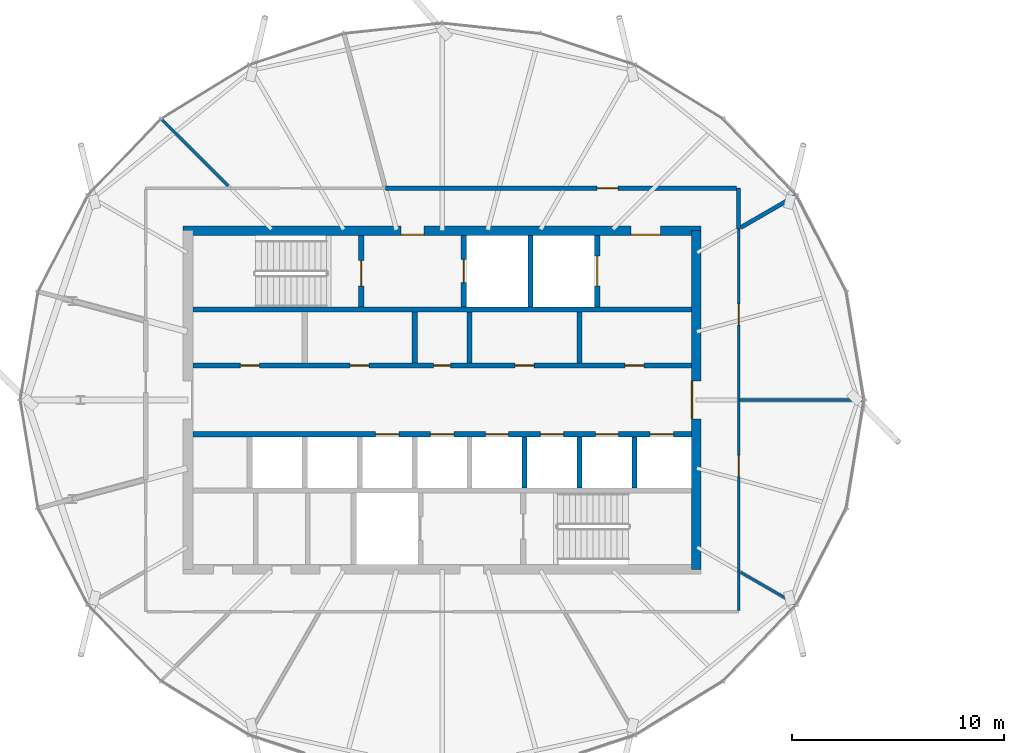
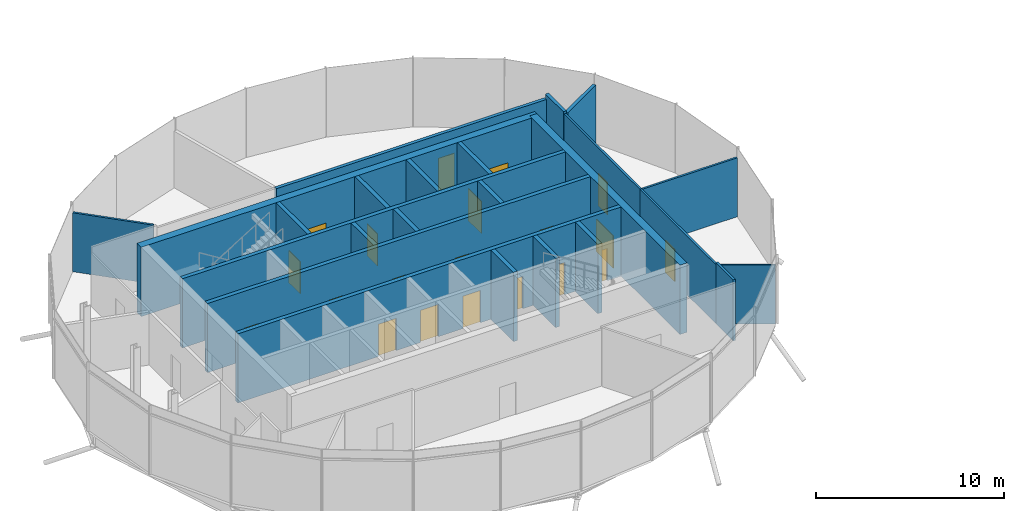
# One storey, part 17 of 31: 24 walls, 20 doors, 20 openings.
"""IFC4 building model written with IfcOpenShell, lengths in metres."""

from ifc_helpers import new_model, si_unit, direction, frame, frame_2d, origin, place, context, subcontext, project, spatial, rectangle, extrude, material, layer, layer_set, type_object, element, fill, save


model = new_model("IFC4")

# Units and contexts
model_context = context("Model", 3, precision=1e-05, world=origin(), true_north=direction((0.0, 1.0)))
body_context = subcontext(model_context, "Body", "Model", "MODEL_VIEW")
ifc_project = project(units=[si_unit("LENGTHUNIT", "METRE"), si_unit("AREAUNIT", "SQUARE_METRE"), si_unit("VOLUMEUNIT", "CUBIC_METRE"), si_unit("PLANEANGLEUNIT", "RADIAN"), si_unit("MASSUNIT", "GRAM", prefix="KILO")], contexts=[model_context])

# Site, building, storey
site_placement = place(None, origin())
site = spatial("IfcSite", under=ifc_project, at=site_placement, CompositionType="ELEMENT")
building_placement = place(site_placement, origin())
building = spatial("IfcBuilding", under=site, at=building_placement, Name="Rimbun Link Towers", CompositionType="ELEMENT")
storey_placement = place(building_placement, frame((0.0, 0.0, 263.10009765625)))
storey = spatial("IfcBuildingStorey", under=building, at=storey_placement, Name="L64", CompositionType="ELEMENT", Elevation=263.10009765625)

# Wall, openings, doors
ifc_material_1 = material(Name="Concrete C60/75", Category="concrete")
ifc_layer_1 = layer(ifc_material_1, 0.449951171875)
ifc_layer_set_1 = layer_set([ifc_layer_1], Name="Core shear wall 450")
wall_type_1 = type_object("IfcWallType", Name="Core shear wall 450", PredefinedType="SHEAR", material=ifc_layer_set_1)
wall_1_placement = place(storey_placement, frame((-43.97509765625, 8.0, 0.0), z_axis=(0.0, 0.0, 1.0), x_axis=(1.0, 0.0, 0.0)))
wall_1 = element("IfcWall", 1, at=wall_1_placement, inside=storey, type_object=wall_type_1, Name="L64 T1 core wall N", PredefinedType="SHEAR", context=body_context, shape_type="SweptSolid", body=[
    extrude(rectangle(XDim=24.4501953125, YDim=0.449951171875, at=frame_2d((12.22509765625, 0.0))), origin(), (0.0, 0.0, 1.0), 4.5),
])
opening_1_placement = place(wall_1_placement, frame((10.27490234375, 0.0, 0.0)))
opening_1 = element("IfcOpeningElement", 2, at=opening_1_placement, cuts=wall_1, Name="Opening C1DCF01N", PredefinedType="OPENING", context=body_context, shape_type="SweptSolid", body=[
    extrude(rectangle(XDim=1.10009765625, YDim=2.10009765625, at=frame_2d((0.550048828125, 1.050048828125))), frame((0.0, 0.23486328125, 0.0), z_axis=(0.0, -1.0, 0.0), x_axis=(1.0, 0.0, 0.0)), (0.0, 0.0, 1.0), 0.469970703125),
])
opening_2_placement = place(wall_1_placement, frame((21.137451171875, 0.0, 0.0)))
opening_2 = element("IfcOpeningElement", 3, at=opening_2_placement, cuts=wall_1, Name="Opening C1DSL02N", PredefinedType="OPENING", context=body_context, shape_type="SweptSolid", body=[
    extrude(rectangle(XDim=1.39990234375, YDim=2.10009765625, at=frame_2d((0.699951171875, 1.050048828125))), frame((0.0, 0.23486328125, 0.0), z_axis=(0.0, -1.0, 0.0), x_axis=(1.0, 0.0, 0.0)), (0.0, 0.0, 1.0), 0.469970703125),
])
ifc_material_2 = material(Name="Steel fire door set", Category="steel")
door_type_1 = type_object("IfcDoorType", Name="Core fire door single", OperationType="SINGLE_SWING_LEFT", PredefinedType="DOOR", material=ifc_material_2)
door_1_placement = place(opening_1_placement, origin())
door_1 = element("IfcDoor", 4, at=door_1_placement, inside=storey, type_object=door_type_1, Name="L64 T1 firefighting lobby n door", OperationType="SINGLE_SWING_LEFT", OverallHeight=2.10009765625, OverallWidth=1.10009765625, PredefinedType="DOOR", context=body_context, shape_type="SweptSolid", body=[
    extrude(rectangle(XDim=1.10009765625, YDim=2.10009765625, at=frame_2d((0.550048828125, 1.050048828125))), frame((0.0, -0.1748046875, 0.0), z_axis=(0.0, -1.0, 0.0), x_axis=(1.0, 0.0, 0.0)), (0.0, 0.0, 1.0), 0.050048828125),
])
fill(opening_1, door_1)
ifc_material_3 = material(Name="Steel fire door set", Category="steel")
door_type_2 = type_object("IfcDoorType", Name="Service lobby door double", OperationType="DOUBLE_DOOR_SINGLE_SWING", PredefinedType="DOOR", material=ifc_material_3)
door_2_placement = place(opening_2_placement, origin())
door_2 = element("IfcDoor", 5, at=door_2_placement, inside=storey, type_object=door_type_2, Name="L64 T1 service lobby door", OperationType="DOUBLE_DOOR_SINGLE_SWING", OverallHeight=2.10009765625, OverallWidth=1.39990234375, PredefinedType="DOOR", context=body_context, shape_type="SweptSolid", body=[
    extrude(rectangle(XDim=1.39990234375, YDim=2.10009765625, at=frame_2d((0.699951171875, 1.050048828125))), frame((0.0, -0.1748046875, 0.0), z_axis=(0.0, -1.0, 0.0), x_axis=(1.0, 0.0, 0.0)), (0.0, 0.0, 1.0), 0.050048828125),
])
fill(opening_2, door_2)

# Wall, opening, door
wall_2_placement = place(storey_placement, frame((-19.75, -8.0, 0.0), z_axis=(0.0, 0.0, 1.0), x_axis=(0.0, 1.0, 0.0)))
wall_2 = element("IfcWall", 6, at=wall_2_placement, inside=storey, type_object=wall_type_1, Name="L64 T1 core wall E", PredefinedType="SHEAR", context=body_context, shape_type="SweptSolid", body=[
    extrude(rectangle(XDim=16.0, YDim=0.449951171875, at=frame_2d((8.0, 0.0))), origin(), (0.0, 0.0, 1.0), 4.5),
])
opening_3_placement = place(wall_2_placement, frame((7.10009765625, 0.0, 0.0)))
opening_3 = element("IfcOpeningElement", 7, at=opening_3_placement, cuts=wall_2, Name="Opening C1DCL01E", PredefinedType="OPENING", context=body_context, shape_type="SweptSolid", body=[
    extrude(rectangle(XDim=1.800048828125, YDim=2.10009765625, at=frame_2d((0.89990234375, 1.050048828125))), frame((0.0, 0.23486328125, 0.0), z_axis=(0.0, -1.0, 0.0), x_axis=(1.0, 0.0, 0.0)), (0.0, 0.0, 1.0), 0.469970703125),
])
ifc_material_4 = material(Name="Steel fire door set", Category="steel")
door_type_3 = type_object("IfcDoorType", Name="Core lobby door double", OperationType="DOUBLE_DOOR_SINGLE_SWING", PredefinedType="DOOR", material=ifc_material_4)
door_3_placement = place(opening_3_placement, origin())
door_3 = element("IfcDoor", 8, at=door_3_placement, inside=storey, type_object=door_type_3, Name="L64 T1 lift lobby door", OperationType="DOUBLE_DOOR_SINGLE_SWING", OverallHeight=2.10009765625, OverallWidth=1.800048828125, PredefinedType="DOOR", context=body_context, shape_type="SweptSolid", body=[
    extrude(rectangle(XDim=1.800048828125, YDim=2.10009765625, at=frame_2d((0.89990234375, 1.050048828125))), frame((0.0, 0.22509765625, 0.0), z_axis=(0.0, -1.0, 0.0), x_axis=(1.0, 0.0, 0.0)), (0.0, 0.0, 1.0), 0.050048828125),
])
fill(opening_3, door_3)

# Wall
ifc_material_5 = material(Name="Concrete blockwork", Category="masonry")
ifc_layer_2 = layer(ifc_material_5, 0.199951171875)
ifc_layer_set_2 = layer_set([ifc_layer_2], Name="Fire partition 200 blockwork")
wall_type_2 = type_object("IfcWallType", Name="Fire partition 200 blockwork", PredefinedType="PARTITIONING", material=ifc_layer_set_2)
wall_3_placement = place(storey_placement, frame((-17.75, 8.0830078125, 0.0), z_axis=(0.0, 0.0, 1.0), x_axis=(0.0, 1.0, 0.0)))
element("IfcWall", 9, at=wall_3_placement, inside=storey, type_object=wall_type_2, Name="TW/PW/L64/010", PredefinedType="PARTITIONING", context=body_context, shape_type="SweptSolid", body=[
    extrude(rectangle(XDim=1.9169921875, YDim=0.199951171875, at=frame_2d((0.95849609375, 0.0))), origin(), (0.0, 0.0, 1.0), 3.976806640625),
])

# Wall, opening, door
wall_4_placement = place(storey_placement, frame((-17.85009765625, 10.0, 0.0), z_axis=(0.0, 0.0, 1.0), x_axis=(-1.0, 0.0, 0.0)))
wall_4 = element("IfcWall", 10, at=wall_4_placement, inside=storey, type_object=wall_type_2, Name="TW/PW/L64/011", PredefinedType="PARTITIONING", context=body_context, shape_type="SweptSolid", body=[
    extrude(rectangle(XDim=16.579345703125, YDim=0.199951171875, at=frame_2d((8.28955078125, 0.0))), origin(), (0.0, 0.0, 1.0), 3.677001953125),
])
opening_4_placement = place(wall_4_placement, frame((5.587890625, 0.0, 0.0)))
opening_4 = element("IfcOpeningElement", 11, at=opening_4_placement, cuts=wall_4, Name="Opening TW D64.08", PredefinedType="OPENING", context=body_context, shape_type="SweptSolid", body=[
    extrude(rectangle(XDim=1.0, YDim=2.10009765625, at=frame_2d((0.5, 1.050048828125))), frame((0.0, 0.10986328125, 0.0), z_axis=(0.0, -1.0, 0.0), x_axis=(1.0, 0.0, 0.0)), (0.0, 0.0, 1.0), 0.219970703125),
])
ifc_material_6 = material(Name="Steel fire door set", Category="steel")
door_type_4 = type_object("IfcDoorType", Name="Fire door single leaf 1000 x 2100", OperationType="NOTDEFINED", PredefinedType="DOOR", material=ifc_material_6)
door_4_placement = place(opening_4_placement, origin())
door_4 = element("IfcDoor", 12, at=door_4_placement, inside=storey, type_object=door_type_4, Name="TW/DR/L64/008", OperationType="SINGLE_SWING_LEFT", OverallHeight=2.10009765625, OverallWidth=1.0, PredefinedType="DOOR", context=body_context, shape_type="SweptSolid", body=[
    extrude(rectangle(XDim=1.0, YDim=2.10009765625, at=frame_2d((0.5, 1.050048828125))), frame((0.0, 0.02490234375, 0.0), z_axis=(0.0, -1.0, 0.0), x_axis=(1.0, 0.0, 0.0)), (0.0, 0.0, 1.0), 0.050048828125),
])
fill(opening_4, door_4)

# Walls
wall_5_placement = place(storey_placement, frame((-15.04248046875, 9.64599609375, 0.0), z_axis=(0.0, 0.0, 1.0), x_axis=(-0.866048548099, -0.499959910729, 0.0)))
element("IfcWall", 13, at=wall_5_placement, inside=storey, type_object=wall_type_2, Name="TW/PW/L64/023", PredefinedType="PARTITIONING", context=body_context, shape_type="SweptSolid", body=[
    extrude(rectangle(XDim=2.996337890625, YDim=0.199951171875, at=frame_2d((1.498046875, 0.0))), origin(), (0.0, 0.0, 1.0), 3.826904296875),
])
ifc_material_7 = material(Name="Gypsum board on steel studs", Category="steel")
ifc_layer_3 = layer(ifc_material_7, 0.125)
ifc_layer_set_3 = layer_set([ifc_layer_3], Name="Partition 125 board on studs")
wall_type_3 = type_object("IfcWallType", Name="Partition 125 board on studs", PredefinedType="PARTITIONING", material=ifc_layer_set_3)
wall_6_placement = place(storey_placement, frame((-17.75, -9.9375, 0.0), z_axis=(0.0, 0.0, 1.0), x_axis=(0.0, 1.0, 0.0)))
element("IfcWall", 14, at=wall_6_placement, inside=storey, type_object=wall_type_3, Name="TW/PW/L64/007", PredefinedType="PARTITIONING", context=body_context, shape_type="SweptSolid", body=[
    extrude(rectangle(XDim=1.8544921875, YDim=0.125, at=frame_2d((0.92724609375, 0.0))), origin(), (0.0, 0.0, 1.0), 3.976806640625),
])

# Wall, opening, door
wall_7_placement = place(storey_placement, frame((-17.75, -8.0830078125, 0.0), z_axis=(0.0, 0.0, 1.0), x_axis=(0.0, 1.0, 0.0)))
wall_7 = element("IfcWall", 15, at=wall_7_placement, inside=storey, type_object=wall_type_3, Name="TW/PW/L64/008", PredefinedType="PARTITIONING", context=body_context, shape_type="SweptSolid", body=[
    extrude(rectangle(XDim=8.0830078125, YDim=0.125, at=frame_2d((4.04150390625, 0.0))), origin(), (0.0, 0.0, 1.0), 3.826904296875),
])
opening_5_placement = place(wall_7_placement, frame((4.468994140625, 0.0, 0.0)))
opening_5 = element("IfcOpeningElement", 16, at=opening_5_placement, cuts=wall_7, Name="Opening TW D64.06", PredefinedType="OPENING", context=body_context, shape_type="SweptSolid", body=[
    extrude(rectangle(XDim=1.0, YDim=2.10009765625, at=frame_2d((0.5, 1.050048828125))), frame((0.0, 0.072509765625, 0.0), z_axis=(0.0, -1.0, 0.0), x_axis=(1.0, 0.0, 0.0)), (0.0, 0.0, 1.0), 0.14501953125),
])
ifc_material_8 = material(Name="Timber door set", Category="wood")
door_type_5 = type_object("IfcDoorType", Name="Door single leaf 1000 x 2100", OperationType="NOTDEFINED", PredefinedType="DOOR", material=ifc_material_8)
door_5_placement = place(opening_5_placement, origin())
door_5 = element("IfcDoor", 17, at=door_5_placement, inside=storey, type_object=door_type_5, Name="TW/DR/L64/006", OperationType="SINGLE_SWING_LEFT", OverallHeight=2.10009765625, OverallWidth=1.0, PredefinedType="DOOR", context=body_context, shape_type="SweptSolid", body=[
    extrude(rectangle(XDim=1.0, YDim=2.10009765625, at=frame_2d((0.5, 1.050048828125))), frame((0.0, 0.02490234375, 0.0), z_axis=(0.0, -1.0, 0.0), x_axis=(1.0, 0.0, 0.0)), (0.0, 0.0, 1.0), 0.050048828125),
])
fill(opening_5, door_5)

wall_8_placement = place(storey_placement, frame((-17.75, 0.0, 0.0), z_axis=(0.0, 0.0, 1.0), x_axis=(0.0, 1.0, 0.0)))
wall_8 = element("IfcWall", 18, at=wall_8_placement, inside=storey, type_object=wall_type_3, Name="TW/PW/L64/009", PredefinedType="PARTITIONING", context=body_context, shape_type="SweptSolid", body=[
    extrude(rectangle(XDim=8.0830078125, YDim=0.125, at=frame_2d((4.04150390625, 0.0))), origin(), (0.0, 0.0, 1.0), 3.826904296875),
])
opening_6_placement = place(wall_8_placement, frame((3.541015625, 0.0, 0.0)))
opening_6 = element("IfcOpeningElement", 19, at=opening_6_placement, cuts=wall_8, Name="Opening TW D64.07", PredefinedType="OPENING", context=body_context, shape_type="SweptSolid", body=[
    extrude(rectangle(XDim=1.0, YDim=2.10009765625, at=frame_2d((0.5, 1.050048828125))), frame((0.0, 0.072509765625, 0.0), z_axis=(0.0, -1.0, 0.0), x_axis=(1.0, 0.0, 0.0)), (0.0, 0.0, 1.0), 0.14501953125),
])
door_6_placement = place(opening_6_placement, origin())
door_6 = element("IfcDoor", 20, at=door_6_placement, inside=storey, type_object=door_type_5, Name="TW/DR/L64/007", OperationType="SINGLE_SWING_RIGHT", OverallHeight=2.10009765625, OverallWidth=1.0, PredefinedType="DOOR", context=body_context, shape_type="SweptSolid", body=[
    extrude(rectangle(XDim=1.0, YDim=2.10009765625, at=frame_2d((0.5, 1.050048828125))), frame((0.0, 0.02490234375, 0.0), z_axis=(0.0, -1.0, 0.0), x_axis=(1.0, 0.0, 0.0)), (0.0, 0.0, 1.0), 0.050048828125),
])
fill(opening_6, door_6)

# Walls
wall_9_placement = place(storey_placement, frame((-15.04248046875, -9.64599609375, 0.0), z_axis=(0.0, 0.0, 1.0), x_axis=(-0.866029326177, 0.499993206155, 0.0)))
element("IfcWall", 21, at=wall_9_placement, inside=storey, type_object=wall_type_3, Name="TW/PW/L64/021", PredefinedType="PARTITIONING", context=body_context, shape_type="SweptSolid", body=[
    extrude(rectangle(XDim=3.01806640625, YDim=0.125, at=frame_2d((1.509033203125, 0.0))), origin(), (0.0, 0.0, 1.0), 3.826904296875),
])
wall_10_placement = place(storey_placement, frame((-11.85400390625, 0.0, 0.0), z_axis=(0.0, 0.0, 1.0), x_axis=(-1.0, 0.0, 0.0)))
element("IfcWall", 22, at=wall_10_placement, inside=storey, type_object=wall_type_3, Name="TW/PW/L64/022", PredefinedType="PARTITIONING", context=body_context, shape_type="SweptSolid", body=[
    extrude(rectangle(XDim=5.83349609375, YDim=0.125, at=frame_2d((2.916748046875, 0.0))), origin(), (0.0, 0.0, 1.0), 3.826904296875),
])
wall_11_placement = place(storey_placement, frame((-45.001220703125, 13.251220703125, 0.0), z_axis=(0.0, 0.0, 1.0), x_axis=(0.707106781187, -0.707106781187, 0.0)))
element("IfcWall", 23, at=wall_11_placement, inside=storey, type_object=wall_type_3, Name="TW/PW/L64/025", PredefinedType="PARTITIONING", context=body_context, shape_type="SweptSolid", body=[
    extrude(rectangle(XDim=4.447021484375, YDim=0.125, at=frame_2d((2.2236328125, 0.0))), origin(), (0.0, 0.0, 1.0), 3.826904296875),
])
ifc_material_9 = material(Name="Concrete C60/75", Category="concrete")
ifc_layer_4 = layer(ifc_material_9, 0.25)
ifc_layer_set_4 = layer_set([ifc_layer_4], Name="Shaft wall 250")
wall_type_4 = type_object("IfcWallType", Name="Shaft wall 250", PredefinedType="SHEAR", material=ifc_layer_set_4)
wall_12_placement = place(storey_placement, frame((-43.52490234375, 4.27490234375, 0.0), z_axis=(0.0, 0.0, 1.0), x_axis=(1.0, 0.0, 0.0)))
element("IfcWall", 24, at=wall_12_placement, inside=storey, type_object=wall_type_4, Name="L64 T1 core wall BN", PredefinedType="SHEAR", context=body_context, shape_type="SweptSolid", body=[
    extrude(rectangle(XDim=23.5498046875, YDim=0.25, at=frame_2d((11.77490234375, 0.0))), origin(), (0.0, 0.0, 1.0), 4.5),
])

# Wall, openings, doors
wall_13_placement = place(storey_placement, frame((-43.52490234375, 1.625, 0.0), z_axis=(0.0, 0.0, 1.0), x_axis=(1.0, 0.0, 0.0)))
wall_13 = element("IfcWall", 25, at=wall_13_placement, inside=storey, type_object=wall_type_4, Name="L64 T1 core wall FN", PredefinedType="SHEAR", context=body_context, shape_type="SweptSolid", body=[
    extrude(rectangle(XDim=23.5498046875, YDim=0.25, at=frame_2d((11.77490234375, 0.0))), origin(), (0.0, 0.0, 1.0), 4.5),
])
opening_7_placement = place(wall_13_placement, frame((2.244384765625, 0.0, 0.0)))
opening_7 = element("IfcOpeningElement", 26, at=opening_7_placement, cuts=wall_13, Name="Opening C1DRS01FN", PredefinedType="OPENING", context=body_context, shape_type="SweptSolid", body=[
    extrude(rectangle(XDim=0.89990234375, YDim=2.10009765625, at=frame_2d((0.449951171875, 1.050048828125))), frame((0.0, 0.135009765625, 0.0), z_axis=(0.0, -1.0, 0.0), x_axis=(1.0, 0.0, 0.0)), (0.0, 0.0, 1.0), 0.27001953125),
])
opening_8_placement = place(wall_13_placement, frame((7.433349609375, 0.0, 0.0)))
opening_8 = element("IfcOpeningElement", 27, at=opening_8_placement, cuts=wall_13, Name="Opening C1DRS02FN", PredefinedType="OPENING", context=body_context, shape_type="SweptSolid", body=[
    extrude(rectangle(XDim=0.89990234375, YDim=2.10009765625, at=frame_2d((0.449951171875, 1.050048828125))), frame((0.0, 0.135009765625, 0.0), z_axis=(0.0, -1.0, 0.0), x_axis=(1.0, 0.0, 0.0)), (0.0, 0.0, 1.0), 0.27001953125),
])
opening_9_placement = place(wall_13_placement, frame((11.375, 0.0, 0.0)))
opening_9 = element("IfcOpeningElement", 28, at=opening_9_placement, cuts=wall_13, Name="Opening C1DRA03FN", PredefinedType="OPENING", context=body_context, shape_type="SweptSolid", body=[
    extrude(rectangle(XDim=0.800048828125, YDim=2.10009765625, at=frame_2d((0.39990234375, 1.050048828125))), frame((0.0, 0.135009765625, 0.0), z_axis=(0.0, -1.0, 0.0), x_axis=(1.0, 0.0, 0.0)), (0.0, 0.0, 1.0), 0.27001953125),
])
opening_10_placement = place(wall_13_placement, frame((15.216796875, 0.0, 0.0)))
opening_10 = element("IfcOpeningElement", 29, at=opening_10_placement, cuts=wall_13, Name="Opening C1DRS04FN", PredefinedType="OPENING", context=body_context, shape_type="SweptSolid", body=[
    extrude(rectangle(XDim=0.89990234375, YDim=2.10009765625, at=frame_2d((0.449951171875, 1.050048828125))), frame((0.0, 0.135009765625, 0.0), z_axis=(0.0, -1.0, 0.0), x_axis=(1.0, 0.0, 0.0)), (0.0, 0.0, 1.0), 0.27001953125),
])
opening_11_placement = place(wall_13_placement, frame((20.405517578125, 0.0, 0.0)))
opening_11 = element("IfcOpeningElement", 30, at=opening_11_placement, cuts=wall_13, Name="Opening C1DRS05FN", PredefinedType="OPENING", context=body_context, shape_type="SweptSolid", body=[
    extrude(rectangle(XDim=0.89990234375, YDim=2.10009765625, at=frame_2d((0.449951171875, 1.050048828125))), frame((0.0, 0.135009765625, 0.0), z_axis=(0.0, -1.0, 0.0), x_axis=(1.0, 0.0, 0.0)), (0.0, 0.0, 1.0), 0.27001953125),
])
ifc_material_10 = material(Name="Steel fire door set", Category="steel")
door_type_6 = type_object("IfcDoorType", Name="Core riser door", OperationType="SINGLE_SWING_LEFT", PredefinedType="DOOR", material=ifc_material_10)
door_7_placement = place(opening_7_placement, origin())
door_7 = element("IfcDoor", 31, at=door_7_placement, inside=storey, type_object=door_type_6, Name="L64 T1 staff lounge door", OperationType="SINGLE_SWING_RIGHT", OverallHeight=2.10009765625, OverallWidth=0.89990234375, PredefinedType="DOOR", context=body_context, shape_type="SweptSolid", body=[
    extrude(rectangle(XDim=0.89990234375, YDim=2.10009765625, at=frame_2d((0.449951171875, 1.050048828125))), frame((0.0, 0.02490234375, 0.0), z_axis=(0.0, -1.0, 0.0), x_axis=(1.0, 0.0, 0.0)), (0.0, 0.0, 1.0), 0.050048828125),
])
fill(opening_7, door_7)
door_8_placement = place(opening_8_placement, origin())
door_8 = element("IfcDoor", 32, at=door_8_placement, inside=storey, type_object=door_type_6, Name="L64 T1 phone room door", OperationType="SINGLE_SWING_LEFT", OverallHeight=2.10009765625, OverallWidth=0.89990234375, PredefinedType="DOOR", context=body_context, shape_type="SweptSolid", body=[
    extrude(rectangle(XDim=0.89990234375, YDim=2.10009765625, at=frame_2d((0.449951171875, 1.050048828125))), frame((0.0, 0.02490234375, 0.0), z_axis=(0.0, -1.0, 0.0), x_axis=(1.0, 0.0, 0.0)), (0.0, 0.0, 1.0), 0.050048828125),
])
fill(opening_8, door_8)
door_9_placement = place(opening_10_placement, origin())
door_9 = element("IfcDoor", 33, at=door_9_placement, inside=storey, type_object=door_type_6, Name="L64 T1 print room door", OperationType="SINGLE_SWING_LEFT", OverallHeight=2.10009765625, OverallWidth=0.89990234375, PredefinedType="DOOR", context=body_context, shape_type="SweptSolid", body=[
    extrude(rectangle(XDim=0.89990234375, YDim=2.10009765625, at=frame_2d((0.449951171875, 1.050048828125))), frame((0.0, 0.02490234375, 0.0), z_axis=(0.0, -1.0, 0.0), x_axis=(1.0, 0.0, 0.0)), (0.0, 0.0, 1.0), 0.050048828125),
])
fill(opening_10, door_9)
door_10_placement = place(opening_11_placement, origin())
door_10 = element("IfcDoor", 34, at=door_10_placement, inside=storey, type_object=door_type_6, Name="L64 T1 staff lounge door", OperationType="SINGLE_SWING_LEFT", OverallHeight=2.10009765625, OverallWidth=0.89990234375, PredefinedType="DOOR", context=body_context, shape_type="SweptSolid", body=[
    extrude(rectangle(XDim=0.89990234375, YDim=2.10009765625, at=frame_2d((0.449951171875, 1.050048828125))), frame((0.0, 0.02490234375, 0.0), z_axis=(0.0, -1.0, 0.0), x_axis=(1.0, 0.0, 0.0)), (0.0, 0.0, 1.0), 0.050048828125),
])
fill(opening_11, door_10)
ifc_material_11 = material(Name="Steel fire door set", Category="steel")
door_type_7 = type_object("IfcDoorType", Name="Riser access door 800 x 2100", OperationType="SINGLE_SWING_LEFT", PredefinedType="DOOR", material=ifc_material_11)
door_11_placement = place(opening_9_placement, origin())
door_11 = element("IfcDoor", 35, at=door_11_placement, inside=storey, type_object=door_type_7, Name="L64 T1 communications room door", OperationType="SINGLE_SWING_LEFT", OverallHeight=2.10009765625, OverallWidth=0.800048828125, PredefinedType="DOOR", context=body_context, shape_type="SweptSolid", body=[
    extrude(rectangle(XDim=0.800048828125, YDim=2.10009765625, at=frame_2d((0.39990234375, 1.050048828125))), frame((0.0, 0.02490234375, 0.0), z_axis=(0.0, -1.0, 0.0), x_axis=(1.0, 0.0, 0.0)), (0.0, 0.0, 1.0), 0.050048828125),
])
fill(opening_9, door_11)

wall_14_placement = place(storey_placement, frame((-43.52490234375, -1.625, 0.0), z_axis=(0.0, 0.0, 1.0), x_axis=(1.0, 0.0, 0.0)))
wall_14 = element("IfcWall", 36, at=wall_14_placement, inside=storey, type_object=wall_type_4, Name="L64 T1 core wall FS", PredefinedType="SHEAR", context=body_context, shape_type="SweptSolid", body=[
    extrude(rectangle(XDim=23.5498046875, YDim=0.25, at=frame_2d((11.77490234375, 0.0))), origin(), (0.0, 0.0, 1.0), 4.5),
])
opening_12_placement = place(wall_14_placement, frame((8.630615234375, 0.0, 0.0)))
opening_12 = element("IfcOpeningElement", 37, at=opening_12_placement, cuts=wall_14, Name="Opening LD-T1-HR1", PredefinedType="OPENING", context=body_context, shape_type="SweptSolid", body=[
    extrude(rectangle(XDim=1.10009765625, YDim=2.10009765625, at=frame_2d((0.550048828125, 1.050048828125))), frame((0.0, 0.135009765625, 0.0), z_axis=(0.0, -1.0, 0.0), x_axis=(1.0, 0.0, 0.0)), (0.0, 0.0, 1.0), 0.27001953125),
])
opening_13_placement = place(wall_14_placement, frame((11.22509765625, 0.0, 0.0)))
opening_13 = element("IfcOpeningElement", 38, at=opening_13_placement, cuts=wall_14, Name="Opening LD-T1-HR2", PredefinedType="OPENING", context=body_context, shape_type="SweptSolid", body=[
    extrude(rectangle(XDim=1.10009765625, YDim=2.10009765625, at=frame_2d((0.550048828125, 1.050048828125))), frame((0.0, 0.135009765625, 0.0), z_axis=(0.0, -1.0, 0.0), x_axis=(1.0, 0.0, 0.0)), (0.0, 0.0, 1.0), 0.27001953125),
])
opening_14_placement = place(wall_14_placement, frame((13.8193359375, 0.0, 0.0)))
opening_14 = element("IfcOpeningElement", 39, at=opening_14_placement, cuts=wall_14, Name="Opening LD-T1-HR3", PredefinedType="OPENING", context=body_context, shape_type="SweptSolid", body=[
    extrude(rectangle(XDim=1.10009765625, YDim=2.10009765625, at=frame_2d((0.550048828125, 1.050048828125))), frame((0.0, 0.135009765625, 0.0), z_axis=(0.0, -1.0, 0.0), x_axis=(1.0, 0.0, 0.0)), (0.0, 0.0, 1.0), 0.27001953125),
])
opening_15_placement = place(wall_14_placement, frame((16.413818359375, 0.0, 0.0)))
opening_15 = element("IfcOpeningElement", 40, at=opening_15_placement, cuts=wall_14, Name="Opening LD-T1-HR4", PredefinedType="OPENING", context=body_context, shape_type="SweptSolid", body=[
    extrude(rectangle(XDim=1.10009765625, YDim=2.10009765625, at=frame_2d((0.550048828125, 1.050048828125))), frame((0.0, 0.135009765625, 0.0), z_axis=(0.0, -1.0, 0.0), x_axis=(1.0, 0.0, 0.0)), (0.0, 0.0, 1.0), 0.27001953125),
])
opening_16_placement = place(wall_14_placement, frame((19.00830078125, 0.0, 0.0)))
opening_16 = element("IfcOpeningElement", 41, at=opening_16_placement, cuts=wall_14, Name="Opening LD-T1-HR5", PredefinedType="OPENING", context=body_context, shape_type="SweptSolid", body=[
    extrude(rectangle(XDim=1.10009765625, YDim=2.10009765625, at=frame_2d((0.550048828125, 1.050048828125))), frame((0.0, 0.135009765625, 0.0), z_axis=(0.0, -1.0, 0.0), x_axis=(1.0, 0.0, 0.0)), (0.0, 0.0, 1.0), 0.27001953125),
])
opening_17_placement = place(wall_14_placement, frame((21.602783203125, 0.0, 0.0)))
opening_17 = element("IfcOpeningElement", 42, at=opening_17_placement, cuts=wall_14, Name="Opening LD-T1-HR6", PredefinedType="OPENING", context=body_context, shape_type="SweptSolid", body=[
    extrude(rectangle(XDim=1.10009765625, YDim=2.10009765625, at=frame_2d((0.550048828125, 1.050048828125))), frame((0.0, 0.135009765625, 0.0), z_axis=(0.0, -1.0, 0.0), x_axis=(1.0, 0.0, 0.0)), (0.0, 0.0, 1.0), 0.27001953125),
])
ifc_material_12 = material(Name="Stainless steel grade 316", Category="steel")
door_type_8 = type_object("IfcDoorType", Name="Lift landing door", OperationType="DOUBLE_DOOR_SLIDING", PredefinedType="DOOR", material=ifc_material_12)
door_12_placement = place(opening_12_placement, origin())
door_12 = element("IfcDoor", 43, at=door_12_placement, inside=storey, type_object=door_type_8, Name="L64 T1 lift HR1 landing door", OperationType="DOUBLE_DOOR_SLIDING", OverallHeight=2.10009765625, OverallWidth=1.10009765625, PredefinedType="DOOR", context=body_context, shape_type="SweptSolid", body=[
    extrude(rectangle(XDim=1.10009765625, YDim=2.10009765625, at=frame_2d((0.550048828125, 1.050048828125))), frame((0.0, 0.02490234375, 0.0), z_axis=(0.0, -1.0, 0.0), x_axis=(1.0, 0.0, 0.0)), (0.0, 0.0, 1.0), 0.050048828125),
])
fill(opening_12, door_12)
door_13_placement = place(opening_13_placement, origin())
door_13 = element("IfcDoor", 44, at=door_13_placement, inside=storey, type_object=door_type_8, Name="L64 T1 lift HR2 landing door", OperationType="DOUBLE_DOOR_SLIDING", OverallHeight=2.10009765625, OverallWidth=1.10009765625, PredefinedType="DOOR", context=body_context, shape_type="SweptSolid", body=[
    extrude(rectangle(XDim=1.10009765625, YDim=2.10009765625, at=frame_2d((0.550048828125, 1.050048828125))), frame((0.0, 0.02490234375, 0.0), z_axis=(0.0, -1.0, 0.0), x_axis=(1.0, 0.0, 0.0)), (0.0, 0.0, 1.0), 0.050048828125),
])
fill(opening_13, door_13)
door_14_placement = place(opening_14_placement, origin())
door_14 = element("IfcDoor", 45, at=door_14_placement, inside=storey, type_object=door_type_8, Name="L64 T1 lift HR3 landing door", OperationType="DOUBLE_DOOR_SLIDING", OverallHeight=2.10009765625, OverallWidth=1.10009765625, PredefinedType="DOOR", context=body_context, shape_type="SweptSolid", body=[
    extrude(rectangle(XDim=1.10009765625, YDim=2.10009765625, at=frame_2d((0.550048828125, 1.050048828125))), frame((0.0, 0.02490234375, 0.0), z_axis=(0.0, -1.0, 0.0), x_axis=(1.0, 0.0, 0.0)), (0.0, 0.0, 1.0), 0.050048828125),
])
fill(opening_14, door_14)
door_15_placement = place(opening_15_placement, origin())
door_15 = element("IfcDoor", 46, at=door_15_placement, inside=storey, type_object=door_type_8, Name="L64 T1 lift HR4 landing door", OperationType="DOUBLE_DOOR_SLIDING", OverallHeight=2.10009765625, OverallWidth=1.10009765625, PredefinedType="DOOR", context=body_context, shape_type="SweptSolid", body=[
    extrude(rectangle(XDim=1.10009765625, YDim=2.10009765625, at=frame_2d((0.550048828125, 1.050048828125))), frame((0.0, 0.02490234375, 0.0), z_axis=(0.0, -1.0, 0.0), x_axis=(1.0, 0.0, 0.0)), (0.0, 0.0, 1.0), 0.050048828125),
])
fill(opening_15, door_15)
door_16_placement = place(opening_16_placement, origin())
door_16 = element("IfcDoor", 47, at=door_16_placement, inside=storey, type_object=door_type_8, Name="L64 T1 lift HR5 landing door", OperationType="DOUBLE_DOOR_SLIDING", OverallHeight=2.10009765625, OverallWidth=1.10009765625, PredefinedType="DOOR", context=body_context, shape_type="SweptSolid", body=[
    extrude(rectangle(XDim=1.10009765625, YDim=2.10009765625, at=frame_2d((0.550048828125, 1.050048828125))), frame((0.0, 0.02490234375, 0.0), z_axis=(0.0, -1.0, 0.0), x_axis=(1.0, 0.0, 0.0)), (0.0, 0.0, 1.0), 0.050048828125),
])
fill(opening_16, door_16)
door_17_placement = place(opening_17_placement, origin())
door_17 = element("IfcDoor", 48, at=door_17_placement, inside=storey, type_object=door_type_8, Name="L64 T1 lift HR6 landing door", OperationType="DOUBLE_DOOR_SLIDING", OverallHeight=2.10009765625, OverallWidth=1.10009765625, PredefinedType="DOOR", context=body_context, shape_type="SweptSolid", body=[
    extrude(rectangle(XDim=1.10009765625, YDim=2.10009765625, at=frame_2d((0.550048828125, 1.050048828125))), frame((0.0, 0.02490234375, 0.0), z_axis=(0.0, -1.0, 0.0), x_axis=(1.0, 0.0, 0.0)), (0.0, 0.0, 1.0), 0.050048828125),
])
fill(opening_17, door_17)

# Walls
for number, where, z_axis, x_axis, name in (
    (49, (-33.047119140625, 1.75, 0.0), (0.0, 0.0, 1.0), (0.0, 1.0, 0.0), "L64 T1 core wall DN3"),
    (50, (-30.452880859375, 1.75, 0.0), (0.0, 0.0, 1.0), (0.0, 1.0, 0.0), "L64 T1 core wall DN4"),
    (51, (-25.263916015625, 1.75, 0.0), (0.0, 0.0, 1.0), (0.0, 1.0, 0.0), "L64 T1 core wall DN6"),
    (52, (-27.8583984375, -4.14990234375, 0.0), (0.0, 0.0, 1.0), (0.0, 1.0, 0.0), "L64 T1 core wall DS5"),
    (53, (-25.263916015625, -4.14990234375, 0.0), (0.0, 0.0, 1.0), (0.0, 1.0, 0.0), "L64 T1 core wall DS6"),
    (54, (-22.66943359375, -4.14990234375, 0.0), (0.0, 0.0, 1.0), (0.0, 1.0, 0.0), "L64 T1 core wall DS7"),
):
    element("IfcWall", number, at=place(storey_placement, frame(where, z_axis=z_axis, x_axis=x_axis)), inside=storey, type_object=wall_type_4, Name=name, PredefinedType="SHEAR", context=body_context, shape_type="SweptSolid", body=[
        extrude(rectangle(XDim=2.39990234375, YDim=0.25, at=frame_2d((1.199951171875, 0.0))), origin(), (0.0, 0.0, 1.0), 4.5),
    ])

# Wall, opening, door
wall_15_placement = place(storey_placement, frame((-35.574951171875, 4.39990234375, 0.0), z_axis=(0.0, 0.0, 1.0), x_axis=(0.0, 1.0, 0.0)))
wall_15 = element("IfcWall", 55, at=wall_15_placement, inside=storey, type_object=wall_type_4, Name="L64 T1 core wall A1", PredefinedType="SHEAR", context=body_context, shape_type="SweptSolid", body=[
    extrude(rectangle(XDim=3.375, YDim=0.25, at=frame_2d((1.6875, 0.0))), origin(), (0.0, 0.0, 1.0), 4.5),
])
opening_18_placement = place(wall_15_placement, frame((0.97509765625, 0.0, 0.0)))
opening_18 = element("IfcOpeningElement", 56, at=opening_18_placement, cuts=wall_15, Name="Opening C1DST01A1", PredefinedType="OPENING", context=body_context, shape_type="SweptSolid", body=[
    extrude(rectangle(XDim=1.199951171875, YDim=2.10009765625, at=frame_2d((0.60009765625, 1.050048828125))), frame((0.0, 0.135009765625, 0.0), z_axis=(0.0, -1.0, 0.0), x_axis=(1.0, 0.0, 0.0)), (0.0, 0.0, 1.0), 0.27001953125),
])
ifc_material_13 = material(Name="Steel fire door set", Category="steel")
door_type_9 = type_object("IfcDoorType", Name="Stair door", OperationType="SINGLE_SWING_LEFT", PredefinedType="DOOR", material=ifc_material_13)
door_18_placement = place(opening_18_placement, origin())
door_18 = element("IfcDoor", 57, at=door_18_placement, inside=storey, type_object=door_type_9, Name="L64 T1 stair a door", OperationType="SINGLE_SWING_RIGHT", OverallHeight=2.10009765625, OverallWidth=1.199951171875, PredefinedType="DOOR", context=body_context, shape_type="SweptSolid", body=[
    extrude(rectangle(XDim=1.199951171875, YDim=2.10009765625, at=frame_2d((0.60009765625, 1.050048828125))), frame((0.0, 0.02490234375, 0.0), z_axis=(0.0, -1.0, 0.0), x_axis=(1.0, 0.0, 0.0)), (0.0, 0.0, 1.0), 0.050048828125),
])
fill(opening_18, door_18)

wall_16_placement = place(storey_placement, frame((-30.72509765625, 4.39990234375, 0.0), z_axis=(0.0, 0.0, 1.0), x_axis=(0.0, 1.0, 0.0)))
wall_16 = element("IfcWall", 58, at=wall_16_placement, inside=storey, type_object=wall_type_4, Name="L64 T1 core wall A2", PredefinedType="SHEAR", context=body_context, shape_type="SweptSolid", body=[
    extrude(rectangle(XDim=3.375, YDim=0.25, at=frame_2d((1.6875, 0.0))), origin(), (0.0, 0.0, 1.0), 4.5),
])
opening_19_placement = place(wall_16_placement, frame((1.137451171875, 0.0, 0.0)))
opening_19 = element("IfcOpeningElement", 59, at=opening_19_placement, cuts=wall_16, Name="Opening LD-T1-FF1", PredefinedType="OPENING", context=body_context, shape_type="SweptSolid", body=[
    extrude(rectangle(XDim=1.10009765625, YDim=2.10009765625, at=frame_2d((0.550048828125, 1.050048828125))), frame((0.0, 0.135009765625, 0.0), z_axis=(0.0, -1.0, 0.0), x_axis=(1.0, 0.0, 0.0)), (0.0, 0.0, 1.0), 0.27001953125),
])
door_19_placement = place(opening_19_placement, origin())
door_19 = element("IfcDoor", 60, at=door_19_placement, inside=storey, type_object=door_type_8, Name="L64 T1 lift FF1 landing door", OperationType="DOUBLE_DOOR_SLIDING", OverallHeight=2.10009765625, OverallWidth=1.10009765625, PredefinedType="DOOR", context=body_context, shape_type="SweptSolid", body=[
    extrude(rectangle(XDim=1.10009765625, YDim=2.10009765625, at=frame_2d((0.550048828125, 1.050048828125))), frame((0.0, 0.02490234375, 0.0), z_axis=(0.0, -1.0, 0.0), x_axis=(1.0, 0.0, 0.0)), (0.0, 0.0, 1.0), 0.050048828125),
])
fill(opening_19, door_19)

# Wall
wall_17_placement = place(storey_placement, frame((-27.574951171875, 4.39990234375, 0.0), z_axis=(0.0, 0.0, 1.0), x_axis=(0.0, 1.0, 0.0)))
element("IfcWall", 61, at=wall_17_placement, inside=storey, type_object=wall_type_4, Name="L64 T1 core wall A3", PredefinedType="SHEAR", context=body_context, shape_type="SweptSolid", body=[
    extrude(rectangle(XDim=3.375, YDim=0.25, at=frame_2d((1.6875, 0.0))), origin(), (0.0, 0.0, 1.0), 4.5),
])

# Wall, opening, door
wall_18_placement = place(storey_placement, frame((-24.425048828125, 4.39990234375, 0.0), z_axis=(0.0, 0.0, 1.0), x_axis=(0.0, 1.0, 0.0)))
wall_18 = element("IfcWall", 62, at=wall_18_placement, inside=storey, type_object=wall_type_4, Name="L64 T1 core wall A4", PredefinedType="SHEAR", context=body_context, shape_type="SweptSolid", body=[
    extrude(rectangle(XDim=3.375, YDim=0.25, at=frame_2d((1.6875, 0.0))), origin(), (0.0, 0.0, 1.0), 4.5),
])
opening_20_placement = place(wall_18_placement, frame((0.987548828125, 0.0, 0.0)))
opening_20 = element("IfcOpeningElement", 63, at=opening_20_placement, cuts=wall_18, Name="Opening LD-T1-GL1", PredefinedType="OPENING", context=body_context, shape_type="SweptSolid", body=[
    extrude(rectangle(XDim=1.39990234375, YDim=2.10009765625, at=frame_2d((0.699951171875, 1.050048828125))), frame((0.0, 0.135009765625, 0.0), z_axis=(0.0, -1.0, 0.0), x_axis=(1.0, 0.0, 0.0)), (0.0, 0.0, 1.0), 0.27001953125),
])
ifc_material_14 = material(Name="Stainless steel grade 316", Category="steel")
door_type_10 = type_object("IfcDoorType", Name="Goods lift landing door", OperationType="DOUBLE_DOOR_SLIDING", PredefinedType="DOOR", material=ifc_material_14)
door_20_placement = place(opening_20_placement, origin())
door_20 = element("IfcDoor", 64, at=door_20_placement, inside=storey, type_object=door_type_10, Name="L64 T1 lift GL1 landing door", OperationType="DOUBLE_DOOR_SLIDING", OverallHeight=2.10009765625, OverallWidth=1.39990234375, PredefinedType="DOOR", context=body_context, shape_type="SweptSolid", body=[
    extrude(rectangle(XDim=1.39990234375, YDim=2.10009765625, at=frame_2d((0.699951171875, 1.050048828125))), frame((0.0, 0.02490234375, 0.0), z_axis=(0.0, -1.0, 0.0), x_axis=(1.0, 0.0, 0.0)), (0.0, 0.0, 1.0), 0.050048828125),
])
fill(opening_20, door_20)

save(model, "model.ifc")
